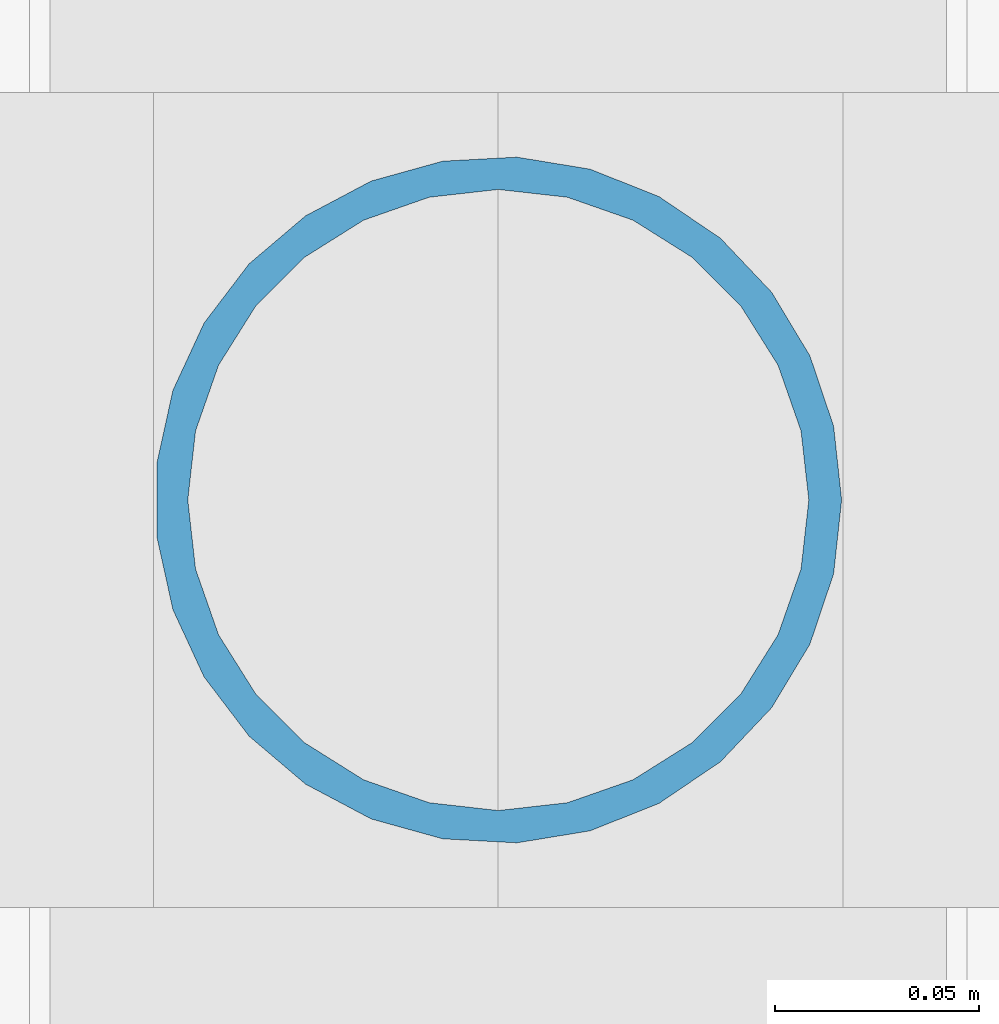
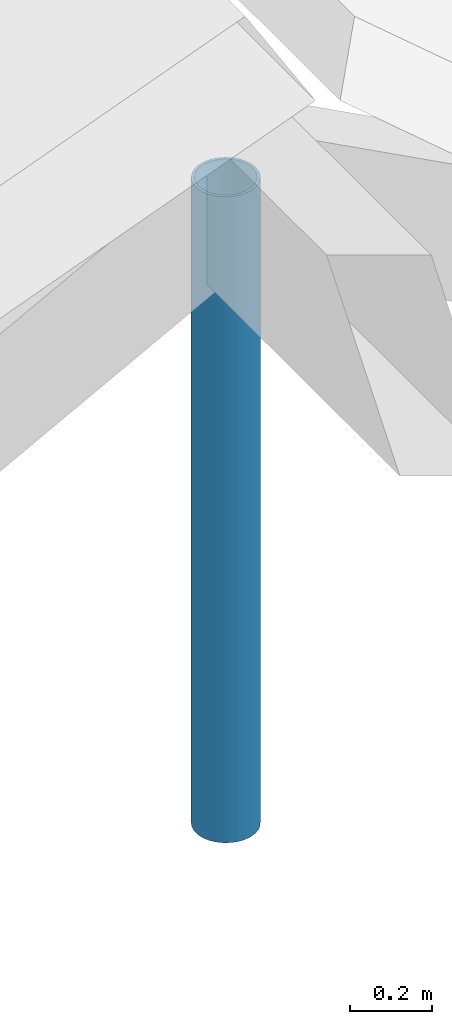
# One storey, part 62 of 82: 1 member.
"""IFC4 building model written with IfcOpenShell, lengths in metres."""

from ifc_helpers import new_model, si_unit, direction, frame, origin, origin_2d, place, context, subcontext, project, spatial, hollow_circle, extrude, material, material_profile, profile_set, type_object, element, save


model = new_model("IFC4")

# Units and contexts
model_context = context("Model", 3, precision=1e-05, world=origin(), true_north=direction((0.0, 1.0)))
body_context = subcontext(model_context, "Body", "Model", "MODEL_VIEW")
ifc_project = project(units=[si_unit("LENGTHUNIT", "METRE"), si_unit("AREAUNIT", "SQUARE_METRE"), si_unit("VOLUMEUNIT", "CUBIC_METRE"), si_unit("PLANEANGLEUNIT", "RADIAN"), si_unit("MASSUNIT", "GRAM", prefix="KILO")], contexts=[model_context])

# Site, building, storey
site_placement = place(None, origin())
site = spatial("IfcSite", under=ifc_project, at=site_placement, CompositionType="ELEMENT")
building_placement = place(site_placement, origin())
building = spatial("IfcBuilding", under=site, at=building_placement, Name="Bramfleet General Hospital", CompositionType="ELEMENT")
storey_placement = place(building_placement, frame((0.0, 0.0, 34.199951171875)))
storey = spatial("IfcBuildingStorey", under=building, at=storey_placement, Name="Roof", CompositionType="ELEMENT", Elevation=34.199951171875)

# Member
ifc_material = material(Name="Steel S355", Category="steel")
ifc_material_profile = material_profile(ifc_material, hollow_circle(Radius=0.084228515625, WallThickness=0.008056640625, at=origin_2d()), Name="CHS 168.3x8.0")
ifc_profile_set = profile_set([ifc_material_profile], Name="Steel S355")
member_type = type_object("IfcMemberType", Name="MEM-SF-DG1", PredefinedType="STRUT", material=ifc_profile_set)
member_placement = place(storey_placement, frame((96.60009765625, 109.199951171875, -0.43994140625), z_axis=(0.0, 0.0, 1.0), x_axis=(1.0, 0.0, 0.0)))
element("IfcMember", 1, at=member_placement, inside=storey, type_object=member_type, Name="Patient House PH-03 Ridge Timber Post 2", PredefinedType="STRUT", context=body_context, shape_type="SweptSolid", body=[
    extrude(hollow_circle(Radius=0.084228515625, WallThickness=0.008056640625, at=origin_2d()), origin(), (0.0, 0.0, 1.0), 1.916748046875),
])

save(model, "model.ifc")
